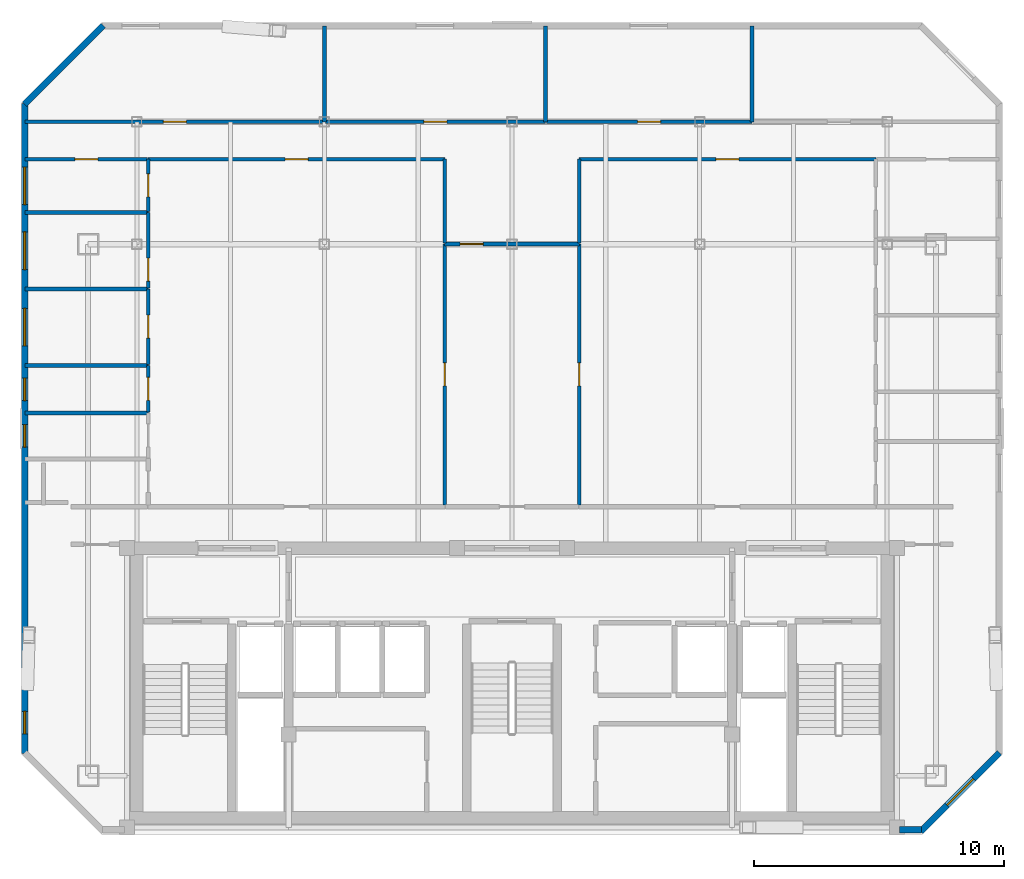
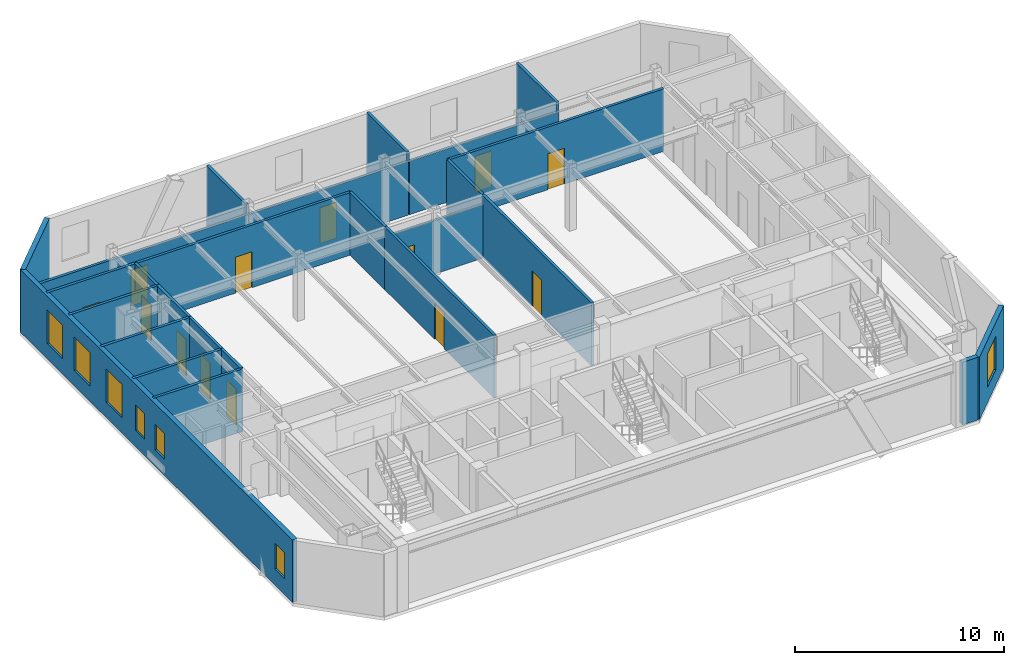
# One storey, part 4 of 7: 26 walls, 13 doors, 7 windows, 20 openings.
"""IFC4 building model written with IfcOpenShell, lengths in metres."""

from ifc_helpers import new_model, si_unit, direction, frame, frame_2d, origin, place, context, subcontext, project, spatial, rectangle, extrude, material, layer, layer_set, type_object, element, fill, save


model = new_model("IFC4")

# Units and contexts
model_context = context("Model", 3, precision=1e-05, world=origin(), true_north=direction((0.0, 1.0)))
body_context = subcontext(model_context, "Body", "Model", "MODEL_VIEW")
ifc_project = project(units=[si_unit("LENGTHUNIT", "METRE"), si_unit("AREAUNIT", "SQUARE_METRE"), si_unit("VOLUMEUNIT", "CUBIC_METRE"), si_unit("PLANEANGLEUNIT", "RADIAN"), si_unit("MASSUNIT", "GRAM", prefix="KILO")], contexts=[model_context])

# Site, building, storey
site_placement = place(None, origin())
site = spatial("IfcSite", under=ifc_project, at=site_placement, CompositionType="ELEMENT")
building_placement = place(site_placement, origin())
building = spatial("IfcBuilding", under=site, at=building_placement, Name="Ventersveld Concourse Tower", CompositionType="ELEMENT")
storey_placement = place(building_placement, frame((0.0, 0.0, 324.60009765625)))
storey = spatial("IfcBuildingStorey", under=building, at=storey_placement, Name="L80", CompositionType="ELEMENT", Elevation=324.60009765625)

# Wall, opening, door
ifc_material_1 = material(Name="Autoclaved aerated masonry blockwork", Category="masonry")
ifc_layer_1 = layer(ifc_material_1, 0.14990234375)
ifc_layer_set_1 = layer_set([ifc_layer_1], Name="Autoclaved aerated masonry blockwork")
wall_type_1 = type_object("IfcWallType", Name="WL-INT-150", PredefinedType="PARTITIONING", material=ifc_layer_set_1)
wall_1_placement = place(storey_placement, frame((26.06005859375, 13.18505859375, 0.0), z_axis=(0.0, 0.0, 1.0), x_axis=(0.0, 1.0, 0.0)))
wall_1 = element("IfcWall", 1, at=wall_1_placement, inside=storey, type_object=wall_type_1, Name="L80 Interior Partition SP-L80-80N1-WGAL1-SP-L80-80N1-FOY", PredefinedType="PARTITIONING", context=body_context, shape_type="SweptSolid", body=[
    extrude(rectangle(XDim=10.4345703125, YDim=0.14990234375, at=frame_2d((5.21728515625, 0.0))), origin(), (0.0, 0.0, 1.0), 3.64990234375),
])
opening_1_placement = place(wall_1_placement, frame((4.75732421875, 0.0, 0.0)))
opening_1 = element("IfcOpeningElement", 2, at=opening_1_placement, cuts=wall_1, Name="Opening ID1", PredefinedType="OPENING", context=body_context, shape_type="SweptSolid", body=[
    extrude(rectangle(XDim=0.919921875, YDim=2.10009765625, at=frame_2d((0.4599609375, 1.050048828125))), frame((0.0, 0.0849609375, 0.0), z_axis=(0.0, -1.0, 0.0), x_axis=(1.0, 0.0, 0.0)), (0.0, 0.0, 1.0), 0.169921875),
])
ifc_material_2 = material(Name="Solid-core hardwood veneer timber", Category="wood")
door_type = type_object("IfcDoorType", Name="DR-ROOM-092", OperationType="NOTDEFINED", PredefinedType="DOOR", material=ifc_material_2)
door_1_placement = place(opening_1_placement, origin())
door_1 = element("IfcDoor", 3, at=door_1_placement, inside=storey, type_object=door_type, Name="L80 Interior Door SP-L80-80N1-WGAL1 to SP-L80-80N1-FOY (D-L80-3644)", OperationType="SINGLE_SWING_RIGHT", OverallHeight=2.10009765625, OverallWidth=0.919921875, PredefinedType="DOOR", context=body_context, shape_type="SweptSolid", body=[
    extrude(rectangle(XDim=0.919921875, YDim=2.10009765625, at=frame_2d((0.4599609375, 1.050048828125))), frame((0.0, 0.02490234375, 0.0), z_axis=(0.0, -1.0, 0.0), x_axis=(1.0, 0.0, 0.0)), (0.0, 0.0, 1.0), 0.050048828125),
])
fill(opening_1, door_1)

wall_2_placement = place(storey_placement, frame((14.2001953125, 27.0, 0.0), z_axis=(0.0, 0.0, 1.0), x_axis=(1.0, 0.0, 0.0)))
wall_2 = element("IfcWall", 4, at=wall_2_placement, inside=storey, type_object=wall_type_1, Name="L80 Interior Partition SP-L80-80N1-WGAL1-SP-L80-80N1-LIV", PredefinedType="PARTITIONING", context=body_context, shape_type="SweptSolid", body=[
    extrude(rectangle(XDim=11.86474609375, YDim=0.14990234375, at=frame_2d((5.932373046875, 0.0))), origin(), (0.0, 0.0, 1.0), 3.64990234375),
])
opening_2_placement = place(wall_2_placement, frame((5.472412109375, 0.0, 0.0)))
opening_2 = element("IfcOpeningElement", 5, at=opening_2_placement, cuts=wall_2, Name="Opening ID1", PredefinedType="OPENING", context=body_context, shape_type="SweptSolid", body=[
    extrude(rectangle(XDim=0.919921875, YDim=2.10009765625, at=frame_2d((0.4599609375, 1.050048828125))), frame((0.0, 0.0849609375, 0.0), z_axis=(0.0, -1.0, 0.0), x_axis=(1.0, 0.0, 0.0)), (0.0, 0.0, 1.0), 0.169921875),
])
door_2_placement = place(opening_2_placement, origin())
door_2 = element("IfcDoor", 6, at=door_2_placement, inside=storey, type_object=door_type, Name="L80 Interior Door SP-L80-80N1-WGAL1 to SP-L80-80N1-LIV (D-L80-3645)", OperationType="SINGLE_SWING_LEFT", OverallHeight=2.10009765625, OverallWidth=0.919921875, PredefinedType="DOOR", context=body_context, shape_type="SweptSolid", body=[
    extrude(rectangle(XDim=0.919921875, YDim=2.10009765625, at=frame_2d((0.4599609375, 1.050048828125))), frame((0.0, 0.02490234375, 0.0), z_axis=(0.0, -1.0, 0.0), x_axis=(1.0, 0.0, 0.0)), (0.0, 0.0, 1.0), 0.050048828125),
])
fill(opening_2, door_2)

# Wall
wall_3_placement = place(storey_placement, frame((26.06005859375, 23.649658203125, 0.0), z_axis=(0.0, 0.0, 1.0), x_axis=(0.0, 1.0, 0.0)))
element("IfcWall", 7, at=wall_3_placement, inside=storey, type_object=wall_type_1, Name="L80 Interior Partition SP-L80-80N1-WGAL1-SP-L80-80N1-LIV", PredefinedType="PARTITIONING", context=body_context, shape_type="SweptSolid", body=[
    extrude(rectangle(XDim=3.355224609375, YDim=0.14990234375, at=frame_2d((1.677734375, 0.0))), origin(), (0.0, 0.0, 1.0), 3.64990234375),
])

# Wall, opening, door
wall_4_placement = place(storey_placement, frame((14.205078125, 16.885009765625, 0.0), z_axis=(0.0, 0.0, 1.0), x_axis=(0.0, 1.0, 0.0)))
wall_4 = element("IfcWall", 8, at=wall_4_placement, inside=storey, type_object=wall_type_1, Name="L80 Interior Partition SP-L80-80N1-WGAL1-SP-L80-80N1-PANL8", PredefinedType="PARTITIONING", context=body_context, shape_type="SweptSolid", body=[
    extrude(rectangle(XDim=1.875244140625, YDim=0.14990234375, at=frame_2d((0.9375, 0.0))), origin(), (0.0, 0.0, 1.0), 3.64990234375),
])
opening_3_placement = place(wall_4_placement, frame((0.4775390625, 0.0, 0.0)))
opening_3 = element("IfcOpeningElement", 9, at=opening_3_placement, cuts=wall_4, Name="Opening ID1", PredefinedType="OPENING", context=body_context, shape_type="SweptSolid", body=[
    extrude(rectangle(XDim=0.919921875, YDim=2.10009765625, at=frame_2d((0.4599609375, 1.050048828125))), frame((0.0, 0.0849609375, 0.0), z_axis=(0.0, -1.0, 0.0), x_axis=(1.0, 0.0, 0.0)), (0.0, 0.0, 1.0), 0.169921875),
])
door_3_placement = place(opening_3_placement, origin())
door_3 = element("IfcDoor", 10, at=door_3_placement, inside=storey, type_object=door_type, Name="L80 Interior Door SP-L80-80N1-WGAL1 to SP-L80-80N1-PANL8 (D-L80-3648)", OperationType="SINGLE_SWING_RIGHT", OverallHeight=2.10009765625, OverallWidth=0.919921875, PredefinedType="DOOR", context=body_context, shape_type="SweptSolid", body=[
    extrude(rectangle(XDim=0.919921875, YDim=2.10009765625, at=frame_2d((0.4599609375, 1.050048828125))), frame((0.0, 0.02490234375, 0.0), z_axis=(0.0, -1.0, 0.0), x_axis=(1.0, 0.0, 0.0)), (0.0, 0.0, 1.0), 0.050048828125),
])
fill(opening_3, door_3)

wall_5_placement = place(storey_placement, frame((14.205078125, 18.790283203125, 0.0), z_axis=(0.0, 0.0, 1.0), x_axis=(0.0, 1.0, 0.0)))
wall_5 = element("IfcWall", 11, at=wall_5_placement, inside=storey, type_object=wall_type_1, Name="L80 Interior Partition SP-L80-80N1-WGAL1-SP-L80-80N1-OFFL0", PredefinedType="PARTITIONING", context=body_context, shape_type="SweptSolid", body=[
    extrude(rectangle(XDim=3.028076171875, YDim=0.14990234375, at=frame_2d((1.51416015625, 0.0))), origin(), (0.0, 0.0, 1.0), 3.64990234375),
])
opening_4_placement = place(wall_5_placement, frame((1.053955078125, 0.0, 0.0)))
opening_4 = element("IfcOpeningElement", 12, at=opening_4_placement, cuts=wall_5, Name="Opening ID1", PredefinedType="OPENING", context=body_context, shape_type="SweptSolid", body=[
    extrude(rectangle(XDim=0.919921875, YDim=2.10009765625, at=frame_2d((0.4599609375, 1.050048828125))), frame((0.0, 0.0849609375, 0.0), z_axis=(0.0, -1.0, 0.0), x_axis=(1.0, 0.0, 0.0)), (0.0, 0.0, 1.0), 0.169921875),
])
door_4_placement = place(opening_4_placement, origin())
door_4 = element("IfcDoor", 13, at=door_4_placement, inside=storey, type_object=door_type, Name="L80 Interior Door SP-L80-80N1-WGAL1 to SP-L80-80N1-OFFL0 (D-L80-3649)", OperationType="SINGLE_SWING_LEFT", OverallHeight=2.10009765625, OverallWidth=0.919921875, PredefinedType="DOOR", context=body_context, shape_type="SweptSolid", body=[
    extrude(rectangle(XDim=0.919921875, YDim=2.10009765625, at=frame_2d((0.4599609375, 1.050048828125))), frame((0.0, 0.02490234375, 0.0), z_axis=(0.0, -1.0, 0.0), x_axis=(1.0, 0.0, 0.0)), (0.0, 0.0, 1.0), 0.050048828125),
])
fill(opening_4, door_4)

wall_6_placement = place(storey_placement, frame((14.205078125, 21.848388671875, 0.0), z_axis=(0.0, 0.0, 1.0), x_axis=(0.0, 1.0, 0.0)))
wall_6 = element("IfcWall", 14, at=wall_6_placement, inside=storey, type_object=wall_type_1, Name="L80 Interior Partition SP-L80-80N1-WGAL1-SP-L80-80N1-OFFL2", PredefinedType="PARTITIONING", context=body_context, shape_type="SweptSolid", body=[
    extrude(rectangle(XDim=3.02783203125, YDim=0.14990234375, at=frame_2d((1.513916015625, 0.0))), origin(), (0.0, 0.0, 1.0), 3.64990234375),
])
opening_5_placement = place(wall_6_placement, frame((0.280029296875, 0.0, 0.0)))
opening_5 = element("IfcOpeningElement", 15, at=opening_5_placement, cuts=wall_6, Name="Opening ID1", PredefinedType="OPENING", context=body_context, shape_type="SweptSolid", body=[
    extrude(rectangle(XDim=0.919921875, YDim=2.10009765625, at=frame_2d((0.4599609375, 1.050048828125))), frame((0.0, 0.0849609375, 0.0), z_axis=(0.0, -1.0, 0.0), x_axis=(1.0, 0.0, 0.0)), (0.0, 0.0, 1.0), 0.169921875),
])
door_5_placement = place(opening_5_placement, origin())
door_5 = element("IfcDoor", 16, at=door_5_placement, inside=storey, type_object=door_type, Name="L80 Interior Door SP-L80-80N1-WGAL1 to SP-L80-80N1-OFFL2 (D-L80-3650)", OperationType="SINGLE_SWING_RIGHT", OverallHeight=2.10009765625, OverallWidth=0.919921875, PredefinedType="DOOR", context=body_context, shape_type="SweptSolid", body=[
    extrude(rectangle(XDim=0.919921875, YDim=2.10009765625, at=frame_2d((0.4599609375, 1.050048828125))), frame((0.0, 0.02490234375, 0.0), z_axis=(0.0, -1.0, 0.0), x_axis=(1.0, 0.0, 0.0)), (0.0, 0.0, 1.0), 0.050048828125),
])
fill(opening_5, door_5)

wall_7_placement = place(storey_placement, frame((14.205078125, 24.90625, 0.0), z_axis=(0.0, 0.0, 1.0), x_axis=(0.0, 1.0, 0.0)))
wall_7 = element("IfcWall", 17, at=wall_7_placement, inside=storey, type_object=wall_type_1, Name="L80 Interior Partition SP-L80-80N1-WGAL1-SP-L80-80N1-OFFL4", PredefinedType="PARTITIONING", context=body_context, shape_type="SweptSolid", body=[
    extrude(rectangle(XDim=2.0986328125, YDim=0.14990234375, at=frame_2d((1.04931640625, 0.0))), origin(), (0.0, 0.0, 1.0), 3.64990234375),
])
opening_6_placement = place(wall_7_placement, frame((0.58935546875, 0.0, 0.0)))
opening_6 = element("IfcOpeningElement", 18, at=opening_6_placement, cuts=wall_7, Name="Opening ID1", PredefinedType="OPENING", context=body_context, shape_type="SweptSolid", body=[
    extrude(rectangle(XDim=0.919921875, YDim=2.10009765625, at=frame_2d((0.4599609375, 1.050048828125))), frame((0.0, 0.0849609375, 0.0), z_axis=(0.0, -1.0, 0.0), x_axis=(1.0, 0.0, 0.0)), (0.0, 0.0, 1.0), 0.169921875),
])
door_6_placement = place(opening_6_placement, origin())
door_6 = element("IfcDoor", 19, at=door_6_placement, inside=storey, type_object=door_type, Name="L80 Interior Door SP-L80-80N1-WGAL1 to SP-L80-80N1-OFFL4 (D-L80-3651)", OperationType="SINGLE_SWING_LEFT", OverallHeight=2.10009765625, OverallWidth=0.919921875, PredefinedType="DOOR", context=body_context, shape_type="SweptSolid", body=[
    extrude(rectangle(XDim=0.919921875, YDim=2.10009765625, at=frame_2d((0.4599609375, 1.050048828125))), frame((0.0, 0.02490234375, 0.0), z_axis=(0.0, -1.0, 0.0), x_axis=(1.0, 0.0, 0.0)), (0.0, 0.0, 1.0), 0.050048828125),
])
fill(opening_6, door_6)

wall_8_placement = place(storey_placement, frame((31.43994140625, 13.18505859375, 0.0), z_axis=(0.0, 0.0, 1.0), x_axis=(0.0, 1.0, 0.0)))
wall_8 = element("IfcWall", 20, at=wall_8_placement, inside=storey, type_object=wall_type_1, Name="L80 Interior Partition SP-L80-80N1-EGAL1-SP-L80-80N1-FOY", PredefinedType="PARTITIONING", context=body_context, shape_type="SweptSolid", body=[
    extrude(rectangle(XDim=10.4345703125, YDim=0.14990234375, at=frame_2d((5.21728515625, 0.0))), origin(), (0.0, 0.0, 1.0), 3.64990234375),
])
opening_7_placement = place(wall_8_placement, frame((4.75732421875, 0.0, 0.0)))
opening_7 = element("IfcOpeningElement", 21, at=opening_7_placement, cuts=wall_8, Name="Opening ID1", PredefinedType="OPENING", context=body_context, shape_type="SweptSolid", body=[
    extrude(rectangle(XDim=0.919921875, YDim=2.10009765625, at=frame_2d((0.4599609375, 1.050048828125))), frame((0.0, 0.0849609375, 0.0), z_axis=(0.0, -1.0, 0.0), x_axis=(1.0, 0.0, 0.0)), (0.0, 0.0, 1.0), 0.169921875),
])
door_7_placement = place(opening_7_placement, origin())
door_7 = element("IfcDoor", 22, at=door_7_placement, inside=storey, type_object=door_type, Name="L80 Interior Door SP-L80-80N1-EGAL1 to SP-L80-80N1-FOY (D-L80-3652)", OperationType="SINGLE_SWING_RIGHT", OverallHeight=2.10009765625, OverallWidth=0.919921875, PredefinedType="DOOR", context=body_context, shape_type="SweptSolid", body=[
    extrude(rectangle(XDim=0.919921875, YDim=2.10009765625, at=frame_2d((0.4599609375, 1.050048828125))), frame((0.0, 0.02490234375, 0.0), z_axis=(0.0, -1.0, 0.0), x_axis=(1.0, 0.0, 0.0)), (0.0, 0.0, 1.0), 0.050048828125),
])
fill(opening_7, door_7)

wall_9_placement = place(storey_placement, frame((31.43505859375, 27.0, 0.0), z_axis=(0.0, 0.0, 1.0), x_axis=(1.0, 0.0, 0.0)))
wall_9 = element("IfcWall", 23, at=wall_9_placement, inside=storey, type_object=wall_type_1, Name="L80 Interior Partition SP-L80-80N1-EGAL1-SP-L80-80N1-LIV", PredefinedType="PARTITIONING", context=body_context, shape_type="SweptSolid", body=[
    extrude(rectangle(XDim=11.86474609375, YDim=0.14990234375, at=frame_2d((5.932373046875, 0.0))), origin(), (0.0, 0.0, 1.0), 3.64990234375),
])
opening_8_placement = place(wall_9_placement, frame((5.472412109375, 0.0, 0.0)))
opening_8 = element("IfcOpeningElement", 24, at=opening_8_placement, cuts=wall_9, Name="Opening ID1", PredefinedType="OPENING", context=body_context, shape_type="SweptSolid", body=[
    extrude(rectangle(XDim=0.919921875, YDim=2.10009765625, at=frame_2d((0.4599609375, 1.050048828125))), frame((0.0, 0.0849609375, 0.0), z_axis=(0.0, -1.0, 0.0), x_axis=(1.0, 0.0, 0.0)), (0.0, 0.0, 1.0), 0.169921875),
])
door_8_placement = place(opening_8_placement, origin())
door_8 = element("IfcDoor", 25, at=door_8_placement, inside=storey, type_object=door_type, Name="L80 Interior Door SP-L80-80N1-EGAL1 to SP-L80-80N1-LIV (D-L80-3653)", OperationType="SINGLE_SWING_LEFT", OverallHeight=2.10009765625, OverallWidth=0.919921875, PredefinedType="DOOR", context=body_context, shape_type="SweptSolid", body=[
    extrude(rectangle(XDim=0.919921875, YDim=2.10009765625, at=frame_2d((0.4599609375, 1.050048828125))), frame((0.0, 0.02490234375, 0.0), z_axis=(0.0, -1.0, 0.0), x_axis=(1.0, 0.0, 0.0)), (0.0, 0.0, 1.0), 0.050048828125),
])
fill(opening_8, door_8)

# Wall
wall_10_placement = place(storey_placement, frame((31.43994140625, 23.649658203125, 0.0), z_axis=(0.0, 0.0, 1.0), x_axis=(0.0, 1.0, 0.0)))
element("IfcWall", 26, at=wall_10_placement, inside=storey, type_object=wall_type_1, Name="L80 Interior Partition SP-L80-80N1-EGAL1-SP-L80-80N1-LIV", PredefinedType="PARTITIONING", context=body_context, shape_type="SweptSolid", body=[
    extrude(rectangle(XDim=3.355224609375, YDim=0.14990234375, at=frame_2d((1.677734375, 0.0))), origin(), (0.0, 0.0, 1.0), 3.64990234375),
])

# Wall, opening, door
wall_11_placement = place(storey_placement, frame((26.054931640625, 23.614501953125, 0.0), z_axis=(0.0, 0.0, 1.0), x_axis=(1.0, 0.0, 0.0)))
wall_11 = element("IfcWall", 27, at=wall_11_placement, inside=storey, type_object=wall_type_1, Name="L80 Interior Partition SP-L80-80N1-FOY-SP-L80-80N1-LIV", PredefinedType="PARTITIONING", context=body_context, shape_type="SweptSolid", body=[
    extrude(rectangle(XDim=5.39013671875, YDim=0.14990234375, at=frame_2d((2.695068359375, 0.0))), origin(), (0.0, 0.0, 1.0), 3.11669921875),
])
opening_9_placement = place(wall_11_placement, frame((0.617919921875, 0.0, 0.0)))
opening_9 = element("IfcOpeningElement", 28, at=opening_9_placement, cuts=wall_11, Name="Opening ID1", PredefinedType="OPENING", context=body_context, shape_type="SweptSolid", body=[
    extrude(rectangle(XDim=0.919921875, YDim=2.10009765625, at=frame_2d((0.4599609375, 1.050048828125))), frame((0.0, 0.0849609375, 0.0), z_axis=(0.0, -1.0, 0.0), x_axis=(1.0, 0.0, 0.0)), (0.0, 0.0, 1.0), 0.169921875),
])
door_9_placement = place(opening_9_placement, origin())
door_9 = element("IfcDoor", 29, at=door_9_placement, inside=storey, type_object=door_type, Name="L80 Interior Door SP-L80-80N1-FOY to SP-L80-80N1-LIV (D-L80-3659)", OperationType="SINGLE_SWING_LEFT", OverallHeight=2.10009765625, OverallWidth=0.919921875, PredefinedType="DOOR", context=body_context, shape_type="SweptSolid", body=[
    extrude(rectangle(XDim=0.919921875, YDim=2.10009765625, at=frame_2d((0.4599609375, 1.050048828125))), frame((0.0, 0.02490234375, 0.0), z_axis=(0.0, -1.0, 0.0), x_axis=(1.0, 0.0, 0.0)), (0.0, 0.0, 1.0), 0.050048828125),
])
fill(opening_9, door_9)

wall_12_placement = place(storey_placement, frame((9.28466796875, 27.0, 0.0), z_axis=(0.0, 0.0, 1.0), x_axis=(1.0, 0.0, 0.0)))
wall_12 = element("IfcWall", 30, at=wall_12_placement, inside=storey, type_object=wall_type_1, Name="L80 Interior Partition SP-L80-80N1-LIV-SP-L80-80N1-OFFL4", PredefinedType="PARTITIONING", context=body_context, shape_type="SweptSolid", body=[
    extrude(rectangle(XDim=4.885498046875, YDim=0.14990234375, at=frame_2d((2.44287109375, 0.0))), origin(), (0.0, 0.0, 1.0), 3.64990234375),
])
opening_10_placement = place(wall_12_placement, frame((1.98291015625, 0.0, 0.0)))
opening_10 = element("IfcOpeningElement", 31, at=opening_10_placement, cuts=wall_12, Name="Opening ID1", PredefinedType="OPENING", context=body_context, shape_type="SweptSolid", body=[
    extrude(rectangle(XDim=0.919921875, YDim=2.10009765625, at=frame_2d((0.4599609375, 1.050048828125))), frame((0.0, 0.0849609375, 0.0), z_axis=(0.0, -1.0, 0.0), x_axis=(1.0, 0.0, 0.0)), (0.0, 0.0, 1.0), 0.169921875),
])
door_10_placement = place(opening_10_placement, origin())
door_10 = element("IfcDoor", 32, at=door_10_placement, inside=storey, type_object=door_type, Name="L80 Interior Door SP-L80-80N1-LIV to SP-L80-80N1-OFFL4 (D-L80-3660)", OperationType="SINGLE_SWING_RIGHT", OverallHeight=2.10009765625, OverallWidth=0.919921875, PredefinedType="DOOR", context=body_context, shape_type="SweptSolid", body=[
    extrude(rectangle(XDim=0.919921875, YDim=2.10009765625, at=frame_2d((0.4599609375, 1.050048828125))), frame((0.0, 0.02490234375, 0.0), z_axis=(0.0, -1.0, 0.0), x_axis=(1.0, 0.0, 0.0)), (0.0, 0.0, 1.0), 0.050048828125),
])
fill(opening_10, door_10)

wall_13_placement = place(storey_placement, frame((9.28466796875, 28.5, 0.0), z_axis=(0.0, 0.0, 1.0), x_axis=(1.0, 0.0, 0.0)))
wall_13 = element("IfcWall", 33, at=wall_13_placement, inside=storey, type_object=wall_type_1, Name="L80 Interior Partition SP-L80-80N1-LIV-SP-L80-80N1-BR1", PredefinedType="PARTITIONING", context=body_context, shape_type="SweptSolid", body=[
    extrude(rectangle(XDim=11.97021484375, YDim=0.14990234375, at=frame_2d((5.985107421875, 0.0))), origin(), (0.0, 0.0, 1.0), 3.11669921875),
])
opening_11_placement = place(wall_13_placement, frame((5.525146484375, 0.0, 0.0)))
opening_11 = element("IfcOpeningElement", 34, at=opening_11_placement, cuts=wall_13, Name="Opening ID1", PredefinedType="OPENING", context=body_context, shape_type="SweptSolid", body=[
    extrude(rectangle(XDim=0.919921875, YDim=2.10009765625, at=frame_2d((0.4599609375, 1.050048828125))), frame((0.0, 0.0849609375, 0.0), z_axis=(0.0, -1.0, 0.0), x_axis=(1.0, 0.0, 0.0)), (0.0, 0.0, 1.0), 0.169921875),
])
door_11_placement = place(opening_11_placement, origin())
door_11 = element("IfcDoor", 35, at=door_11_placement, inside=storey, type_object=door_type, Name="L80 Interior Door SP-L80-80N1-LIV to SP-L80-80N1-BR1 (D-L80-3662)", OperationType="SINGLE_SWING_RIGHT", OverallHeight=2.10009765625, OverallWidth=0.919921875, PredefinedType="DOOR", context=body_context, shape_type="SweptSolid", body=[
    extrude(rectangle(XDim=0.919921875, YDim=2.10009765625, at=frame_2d((0.4599609375, 1.050048828125))), frame((0.0, 0.02490234375, 0.0), z_axis=(0.0, -1.0, 0.0), x_axis=(1.0, 0.0, 0.0)), (0.0, 0.0, 1.0), 0.050048828125),
])
fill(opening_11, door_11)

wall_14_placement = place(storey_placement, frame((21.284912109375, 28.5, 0.0), z_axis=(0.0, 0.0, 1.0), x_axis=(1.0, 0.0, 0.0)))
wall_14 = element("IfcWall", 36, at=wall_14_placement, inside=storey, type_object=wall_type_1, Name="L80 Interior Partition SP-L80-80N1-LIV-SP-L80-80N1-BR2", PredefinedType="PARTITIONING", context=body_context, shape_type="SweptSolid", body=[
    extrude(rectangle(XDim=8.805419921875, YDim=0.14990234375, at=frame_2d((4.40283203125, 0.0))), origin(), (0.0, 0.0, 1.0), 3.11669921875),
])
opening_12_placement = place(wall_14_placement, frame((3.942626953125, 0.0, 0.0)))
opening_12 = element("IfcOpeningElement", 37, at=opening_12_placement, cuts=wall_14, Name="Opening ID1", PredefinedType="OPENING", context=body_context, shape_type="SweptSolid", body=[
    extrude(rectangle(XDim=0.919921875, YDim=2.10009765625, at=frame_2d((0.4599609375, 1.050048828125))), frame((0.0, 0.0849609375, 0.0), z_axis=(0.0, -1.0, 0.0), x_axis=(1.0, 0.0, 0.0)), (0.0, 0.0, 1.0), 0.169921875),
])
door_12_placement = place(opening_12_placement, origin())
door_12 = element("IfcDoor", 38, at=door_12_placement, inside=storey, type_object=door_type, Name="L80 Interior Door SP-L80-80N1-LIV to SP-L80-80N1-BR2 (D-L80-3663)", OperationType="SINGLE_SWING_LEFT", OverallHeight=2.10009765625, OverallWidth=0.919921875, PredefinedType="DOOR", context=body_context, shape_type="SweptSolid", body=[
    extrude(rectangle(XDim=0.919921875, YDim=2.10009765625, at=frame_2d((0.4599609375, 1.050048828125))), frame((0.0, 0.02490234375, 0.0), z_axis=(0.0, -1.0, 0.0), x_axis=(1.0, 0.0, 0.0)), (0.0, 0.0, 1.0), 0.050048828125),
])
fill(opening_12, door_12)

wall_15_placement = place(storey_placement, frame((30.120361328125, 28.5, 0.0), z_axis=(0.0, 0.0, 1.0), x_axis=(1.0, 0.0, 0.0)))
wall_15 = element("IfcWall", 39, at=wall_15_placement, inside=storey, type_object=wall_type_1, Name="L80 Interior Partition SP-L80-80N1-LIV-SP-L80-80N1-BR3", PredefinedType="PARTITIONING", context=body_context, shape_type="SweptSolid", body=[
    extrude(rectangle(XDim=8.228271484375, YDim=0.14990234375, at=frame_2d((4.1142578125, 0.0))), origin(), (0.0, 0.0, 1.0), 3.11669921875),
])
opening_13_placement = place(wall_15_placement, frame((3.654296875, 0.0, 0.0)))
opening_13 = element("IfcOpeningElement", 40, at=opening_13_placement, cuts=wall_15, Name="Opening ID1", PredefinedType="OPENING", context=body_context, shape_type="SweptSolid", body=[
    extrude(rectangle(XDim=0.919921875, YDim=2.10009765625, at=frame_2d((0.4599609375, 1.050048828125))), frame((0.0, 0.0849609375, 0.0), z_axis=(0.0, -1.0, 0.0), x_axis=(1.0, 0.0, 0.0)), (0.0, 0.0, 1.0), 0.169921875),
])
door_13_placement = place(opening_13_placement, origin())
door_13 = element("IfcDoor", 41, at=door_13_placement, inside=storey, type_object=door_type, Name="L80 Interior Door SP-L80-80N1-LIV to SP-L80-80N1-BR3 (D-L80-3664)", OperationType="SINGLE_SWING_RIGHT", OverallHeight=2.10009765625, OverallWidth=0.919921875, PredefinedType="DOOR", context=body_context, shape_type="SweptSolid", body=[
    extrude(rectangle(XDim=0.919921875, YDim=2.10009765625, at=frame_2d((0.4599609375, 1.050048828125))), frame((0.0, 0.02490234375, 0.0), z_axis=(0.0, -1.0, 0.0), x_axis=(1.0, 0.0, 0.0)), (0.0, 0.0, 1.0), 0.050048828125),
])
fill(opening_13, door_13)

# Walls
for number, where, z_axis, x_axis, name in (
    (42, (9.28466796875, 16.85009765625, 0.0), (0.0, 0.0, 1.0), (1.0, 0.0, 0.0), "L80 Interior Partition SP-L80-80N1-PANL6-SP-L80-80N1-PANL8"),
    (43, (9.28466796875, 18.75537109375, 0.0), (0.0, 0.0, 1.0), (1.0, 0.0, 0.0), "L80 Interior Partition SP-L80-80N1-PANL8-SP-L80-80N1-OFFL0"),
    (44, (9.28466796875, 21.813232421875, 0.0), (0.0, 0.0, 1.0), (1.0, 0.0, 0.0), "L80 Interior Partition SP-L80-80N1-OFFL0-SP-L80-80N1-OFFL2"),
    (45, (9.28466796875, 24.871337890625, 0.0), (0.0, 0.0, 1.0), (1.0, 0.0, 0.0), "L80 Interior Partition SP-L80-80N1-OFFL2-SP-L80-80N1-OFFL4"),
):
    element("IfcWall", number, at=place(storey_placement, frame(where, z_axis=z_axis, x_axis=x_axis)), inside=storey, type_object=wall_type_1, Name=name, PredefinedType="PARTITIONING", context=body_context, shape_type="SweptSolid", body=[
        extrude(rectangle(XDim=4.925537109375, YDim=0.14990234375, at=frame_2d((2.462890625, 0.0))), origin(), (0.0, 0.0, 1.0), 3.64990234375),
    ])
for number, where, z_axis, x_axis, name in (
    (46, (21.25, 28.4951171875, 0.0), (0.0, 0.0, 1.0), (0.0, 1.0, 0.0), "L80 Interior Partition SP-L80-80N1-BR1-SP-L80-80N1-BR2"),
    (47, (30.08544921875, 28.4951171875, 0.0), (0.0, 0.0, 1.0), (0.0, 1.0, 0.0), "L80 Interior Partition SP-L80-80N1-BR2-SP-L80-80N1-BR3"),
    (48, (38.34375, 28.4951171875, 0.0), (0.0, 0.0, 1.0), (0.0, 1.0, 0.0), "L80 Interior Partition SP-L80-80N1-BR3-SP-L80-80N1-BR4"),
):
    element("IfcWall", number, at=place(storey_placement, frame(where, z_axis=z_axis, x_axis=x_axis)), inside=storey, type_object=wall_type_1, Name=name, PredefinedType="PARTITIONING", context=body_context, shape_type="SweptSolid", body=[
        extrude(rectangle(XDim=3.825927734375, YDim=0.14990234375, at=frame_2d((1.9130859375, 0.0))), origin(), (0.0, 0.0, 1.0), 3.64990234375),
    ])
ifc_material_3 = material(Name="Precast concrete C45/55", Category="concrete")
ifc_layer_2 = layer(ifc_material_3, 0.260009765625)
ifc_layer_set_2 = layer_set([ifc_layer_2], Name="Precast concrete C45/55")
wall_type_2 = type_object("IfcWallType", Name="WL-PREC-260", PredefinedType="SOLIDWALL", material=ifc_layer_set_2)
wall_16_placement = place(storey_placement, frame((44.25, 0.179931640625, 0.0), z_axis=(0.0, 0.0, 1.0), x_axis=(1.0, 0.0, 0.0)))
element("IfcWall", 49, at=wall_16_placement, inside=storey, type_object=wall_type_2, Name="L80 South-East Flank Precast Wall", PredefinedType="SOLIDWALL", context=body_context, shape_type="SweptSolid", body=[
    extrude(rectangle(XDim=0.874755859375, YDim=0.260009765625, at=frame_2d((0.4375, 0.0))), origin(), (0.0, 0.0, 1.0), 3.64990234375),
])

# Wall, opening, window
wall_17_placement = place(storey_placement, frame((45.101318359375, 0.1201171875, 0.0), z_axis=(0.0, 0.0, 1.0), x_axis=(0.707079321262, 0.707134240044, 0.0)))
wall_17 = element("IfcWall", 50, at=wall_17_placement, inside=storey, type_object=wall_type_2, Name="L80 Highveld Precast Facade Wall E02", PredefinedType="SOLIDWALL", context=body_context, shape_type="SweptSolid", body=[
    extrude(rectangle(XDim=4.445556640625, YDim=0.260009765625, at=frame_2d((2.22265625, 0.0))), origin(), (0.0, 0.0, 1.0), 3.64990234375),
])
opening_14_placement = place(wall_17_placement, frame((1.47265625, 0.0, 0.89990234375)))
opening_14 = element("IfcOpeningElement", 51, at=opening_14_placement, cuts=wall_17, Name="Opening W1", PredefinedType="OPENING", context=body_context, shape_type="SweptSolid", body=[
    extrude(rectangle(XDim=1.5, YDim=1.949951171875, at=frame_2d((0.75, 0.97509765625))), frame((0.0, 0.14013671875, 0.0), z_axis=(0.0, -1.0, 0.0), x_axis=(1.0, 0.0, 0.0)), (0.0, 0.0, 1.0), 0.280029296875),
])
ifc_material_4 = material(Name="Tempered acoustic Low-E IGU", Category="glass")
window_type_1 = type_object("IfcWindowType", Name="WIN-150x210", PartitioningType="SINGLE_PANEL", PredefinedType="WINDOW", material=ifc_material_4)
window_1_placement = place(opening_14_placement, origin())
window_1 = element("IfcWindow", 52, at=window_1_placement, inside=storey, type_object=window_type_1, Name="L80 Punched Low-E Window W-1128", OverallHeight=1.949951171875, OverallWidth=1.5, PartitioningType="SINGLE_PANEL", PredefinedType="WINDOW", context=body_context, shape_type="SweptSolid", body=[
    extrude(rectangle(XDim=1.5, YDim=1.949951171875, at=frame_2d((0.75, 0.97509765625))), frame((0.0, 0.030029296875, 0.0), z_axis=(0.0, -1.0, 0.0), x_axis=(1.0, 0.0, 0.0)), (0.0, 0.0, 1.0), 0.06005859375),
])
fill(opening_14, window_1)

# Wall
wall_18_placement = place(storey_placement, frame((12.398681640625, 32.350341796875, 0.0), z_axis=(0.0, 0.0, 1.0), x_axis=(-0.707106781187, -0.707106781187, 0.0)))
element("IfcWall", 53, at=wall_18_placement, inside=storey, type_object=wall_type_2, Name="L80 Highveld Precast Facade Wall E06", PredefinedType="SOLIDWALL", context=body_context, shape_type="SweptSolid", body=[
    extrude(rectangle(XDim=4.4453125, YDim=0.260009765625, at=frame_2d((2.22265625, 0.0))), origin(), (0.0, 0.0, 1.0), 3.64990234375),
])

# Wall, openings, windows
wall_19_placement = place(storey_placement, frame((9.26513671875, 29.230712890625, 0.0), z_axis=(0.0, 0.0, 1.0), x_axis=(0.0, -1.0, 0.0)))
wall_19 = element("IfcWall", 54, at=wall_19_placement, inside=storey, type_object=wall_type_2, Name="L80 Highveld Precast Facade Wall E07", PredefinedType="SOLIDWALL", context=body_context, shape_type="SweptSolid", body=[
    extrude(rectangle(XDim=25.99072265625, YDim=0.260009765625, at=frame_2d((12.995361328125, 0.0))), origin(), (0.0, 0.0, 1.0), 3.64990234375),
])
opening_15_placement = place(wall_19_placement, frame((24.310546875, 0.0, 0.949951171875)))
opening_15 = element("IfcOpeningElement", 55, at=opening_15_placement, cuts=wall_19, Name="Opening W4", PredefinedType="OPENING", context=body_context, shape_type="SweptSolid", body=[
    extrude(rectangle(XDim=0.89990234375, YDim=1.5, at=frame_2d((0.449951171875, 0.75))), frame((0.0, 0.14013671875, 0.0), z_axis=(0.0, -1.0, 0.0), x_axis=(1.0, 0.0, 0.0)), (0.0, 0.0, 1.0), 0.280029296875),
])
opening_16_placement = place(wall_19_placement, frame((12.845703125, 0.0, 0.949951171875)))
opening_16 = element("IfcOpeningElement", 56, at=opening_16_placement, cuts=wall_19, Name="Opening W4", PredefinedType="OPENING", context=body_context, shape_type="SweptSolid", body=[
    extrude(rectangle(XDim=0.89990234375, YDim=1.5, at=frame_2d((0.449951171875, 0.75))), frame((0.0, 0.14013671875, 0.0), z_axis=(0.0, -1.0, 0.0), x_axis=(1.0, 0.0, 0.0)), (0.0, 0.0, 1.0), 0.280029296875),
])
opening_17_placement = place(wall_19_placement, frame((10.977783203125, 0.0, 0.949951171875)))
opening_17 = element("IfcOpeningElement", 57, at=opening_17_placement, cuts=wall_19, Name="Opening W4", PredefinedType="OPENING", context=body_context, shape_type="SweptSolid", body=[
    extrude(rectangle(XDim=0.89990234375, YDim=1.5, at=frame_2d((0.449951171875, 0.75))), frame((0.0, 0.14013671875, 0.0), z_axis=(0.0, -1.0, 0.0), x_axis=(1.0, 0.0, 0.0)), (0.0, 0.0, 1.0), 0.280029296875),
])
opening_18_placement = place(wall_19_placement, frame((8.1962890625, 0.0, 0.89990234375)))
opening_18 = element("IfcOpeningElement", 58, at=opening_18_placement, cuts=wall_19, Name="Opening W1", PredefinedType="OPENING", context=body_context, shape_type="SweptSolid", body=[
    extrude(rectangle(XDim=1.5, YDim=1.949951171875, at=frame_2d((0.75, 0.97509765625))), frame((0.0, 0.14013671875, 0.0), z_axis=(0.0, -1.0, 0.0), x_axis=(1.0, 0.0, 0.0)), (0.0, 0.0, 1.0), 0.280029296875),
])
opening_19_placement = place(wall_19_placement, frame((5.13818359375, 0.0, 0.89990234375)))
opening_19 = element("IfcOpeningElement", 59, at=opening_19_placement, cuts=wall_19, Name="Opening W1", PredefinedType="OPENING", context=body_context, shape_type="SweptSolid", body=[
    extrude(rectangle(XDim=1.5, YDim=1.949951171875, at=frame_2d((0.75, 0.97509765625))), frame((0.0, 0.14013671875, 0.0), z_axis=(0.0, -1.0, 0.0), x_axis=(1.0, 0.0, 0.0)), (0.0, 0.0, 1.0), 0.280029296875),
])
opening_20_placement = place(wall_19_placement, frame((2.544921875, 0.0, 0.89990234375)))
opening_20 = element("IfcOpeningElement", 60, at=opening_20_placement, cuts=wall_19, Name="Opening W1", PredefinedType="OPENING", context=body_context, shape_type="SweptSolid", body=[
    extrude(rectangle(XDim=1.5, YDim=1.949951171875, at=frame_2d((0.75, 0.97509765625))), frame((0.0, 0.14013671875, 0.0), z_axis=(0.0, -1.0, 0.0), x_axis=(1.0, 0.0, 0.0)), (0.0, 0.0, 1.0), 0.280029296875),
])
window_type_2 = type_object("IfcWindowType", Name="WIN-090x150", PartitioningType="SINGLE_PANEL", PredefinedType="WINDOW", material=ifc_material_4)
window_2_placement = place(opening_15_placement, origin())
window_2 = element("IfcWindow", 61, at=window_2_placement, inside=storey, type_object=window_type_2, Name="L80 Punched Low-E Window W-1127", OverallHeight=1.5, OverallWidth=0.89990234375, PartitioningType="SINGLE_PANEL", PredefinedType="WINDOW", context=body_context, shape_type="SweptSolid", body=[
    extrude(rectangle(XDim=0.89990234375, YDim=1.5, at=frame_2d((0.449951171875, 0.75))), frame((0.0, 0.030029296875, 0.0), z_axis=(0.0, -1.0, 0.0), x_axis=(1.0, 0.0, 0.0)), (0.0, 0.0, 1.0), 0.06005859375),
])
fill(opening_15, window_2)
window_3_placement = place(opening_16_placement, origin())
window_3 = element("IfcWindow", 62, at=window_3_placement, inside=storey, type_object=window_type_2, Name="L80 Punched Low-E Window W-1129", OverallHeight=1.5, OverallWidth=0.89990234375, PartitioningType="SINGLE_PANEL", PredefinedType="WINDOW", context=body_context, shape_type="SweptSolid", body=[
    extrude(rectangle(XDim=0.89990234375, YDim=1.5, at=frame_2d((0.449951171875, 0.75))), frame((0.0, 0.030029296875, 0.0), z_axis=(0.0, -1.0, 0.0), x_axis=(1.0, 0.0, 0.0)), (0.0, 0.0, 1.0), 0.06005859375),
])
fill(opening_16, window_3)
window_4_placement = place(opening_17_placement, origin())
window_4 = element("IfcWindow", 63, at=window_4_placement, inside=storey, type_object=window_type_2, Name="L80 Punched Low-E Window W-1130", OverallHeight=1.5, OverallWidth=0.89990234375, PartitioningType="SINGLE_PANEL", PredefinedType="WINDOW", context=body_context, shape_type="SweptSolid", body=[
    extrude(rectangle(XDim=0.89990234375, YDim=1.5, at=frame_2d((0.449951171875, 0.75))), frame((0.0, 0.030029296875, 0.0), z_axis=(0.0, -1.0, 0.0), x_axis=(1.0, 0.0, 0.0)), (0.0, 0.0, 1.0), 0.06005859375),
])
fill(opening_17, window_4)
window_5_placement = place(opening_18_placement, origin())
window_5 = element("IfcWindow", 64, at=window_5_placement, inside=storey, type_object=window_type_1, Name="L80 Punched Low-E Window W-1131", OverallHeight=1.949951171875, OverallWidth=1.5, PartitioningType="SINGLE_PANEL", PredefinedType="WINDOW", context=body_context, shape_type="SweptSolid", body=[
    extrude(rectangle(XDim=1.5, YDim=1.949951171875, at=frame_2d((0.75, 0.97509765625))), frame((0.0, 0.030029296875, 0.0), z_axis=(0.0, -1.0, 0.0), x_axis=(1.0, 0.0, 0.0)), (0.0, 0.0, 1.0), 0.06005859375),
])
fill(opening_18, window_5)
window_6_placement = place(opening_19_placement, origin())
window_6 = element("IfcWindow", 65, at=window_6_placement, inside=storey, type_object=window_type_1, Name="L80 Punched Low-E Window W-1132", OverallHeight=1.949951171875, OverallWidth=1.5, PartitioningType="SINGLE_PANEL", PredefinedType="WINDOW", context=body_context, shape_type="SweptSolid", body=[
    extrude(rectangle(XDim=1.5, YDim=1.949951171875, at=frame_2d((0.75, 0.97509765625))), frame((0.0, 0.030029296875, 0.0), z_axis=(0.0, -1.0, 0.0), x_axis=(1.0, 0.0, 0.0)), (0.0, 0.0, 1.0), 0.06005859375),
])
fill(opening_19, window_6)
window_7_placement = place(opening_20_placement, origin())
window_7 = element("IfcWindow", 66, at=window_7_placement, inside=storey, type_object=window_type_1, Name="L80 Punched Low-E Window W-1133", OverallHeight=1.949951171875, OverallWidth=1.5, PartitioningType="SINGLE_PANEL", PredefinedType="WINDOW", context=body_context, shape_type="SweptSolid", body=[
    extrude(rectangle(XDim=1.5, YDim=1.949951171875, at=frame_2d((0.75, 0.97509765625))), frame((0.0, 0.030029296875, 0.0), z_axis=(0.0, -1.0, 0.0), x_axis=(1.0, 0.0, 0.0)), (0.0, 0.0, 1.0), 0.06005859375),
])
fill(opening_20, window_7)

save(model, "model.ifc")
